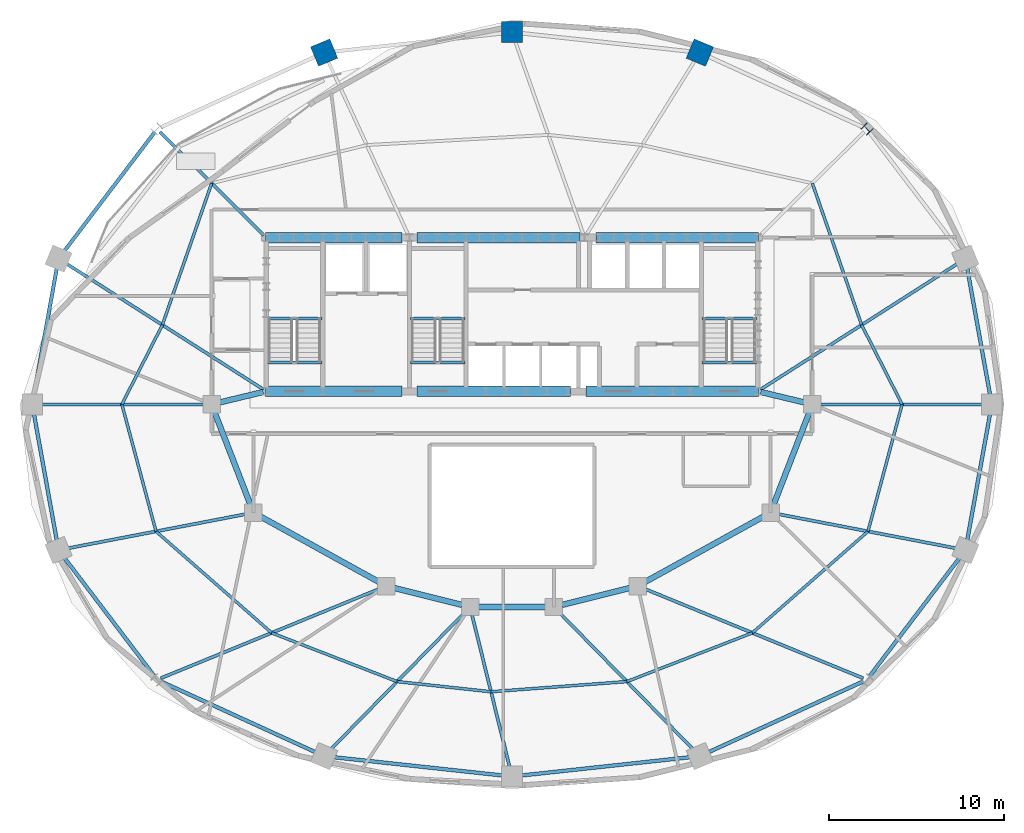
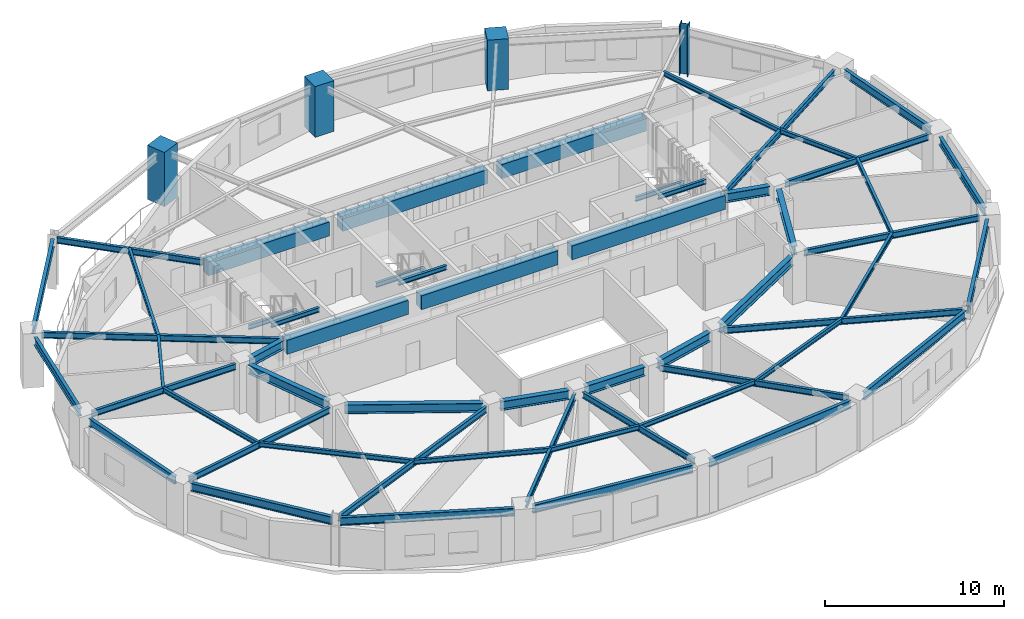
# One storey, part 2 of 10: 56 beams, 4 columns.
"""IFC4 building model written with IfcOpenShell, lengths in metres."""

from ifc_helpers import new_model, si_unit, direction, frame, origin, origin_2d, place, context, subcontext, project, spatial, rectangle, i_section, extrude, material, material_profile, profile_set, type_object, element, save


model = new_model("IFC4")

# Units and contexts
model_context = context("Model", 3, precision=1e-05, world=origin(), true_north=direction((0.0, 1.0)))
body_context = subcontext(model_context, "Body", "Model", "MODEL_VIEW")
ifc_project = project(units=[si_unit("LENGTHUNIT", "METRE"), si_unit("AREAUNIT", "SQUARE_METRE"), si_unit("VOLUMEUNIT", "CUBIC_METRE"), si_unit("PLANEANGLEUNIT", "RADIAN"), si_unit("MASSUNIT", "GRAM", prefix="KILO")], contexts=[model_context])

# Site, building, storey
site_placement = place(None, origin())
site = spatial("IfcSite", under=ifc_project, at=site_placement, CompositionType="ELEMENT")
building_placement = place(site_placement, origin())
building = spatial("IfcBuilding", under=site, at=building_placement, Name="Haldorwick Loom Tower", CompositionType="ELEMENT")
storey_placement = place(building_placement, frame((0.0, 0.0, 185.5)))
storey = spatial("IfcBuildingStorey", under=building, at=storey_placement, Name="L50", CompositionType="ELEMENT", Elevation=185.5)

# Columns
ifc_material_1 = material(Name="Concrete C60 (60 MPa)", Category="concrete")
ifc_material_profile_1 = material_profile(ifc_material_1, rectangle(XDim=1.199951171875, YDim=1.199951171875, at=origin_2d()), Name="RC1200X1200", Category="concrete")
ifc_profile_set_1 = profile_set([ifc_material_profile_1], Name="Concrete C60 (60 MPa)")
column_type_1 = type_object("IfcColumnType", Name="STR-COL-RC1200", PredefinedType="COLUMN", material=ifc_profile_set_1)
for number, where, z_axis, x_axis, name in (
    (1, (46.75341796875, 46.140625, 0.0), (0.0, 0.0, 1.0), (0.382683432365, 0.923879532511, 0.0), "L50 Perimeter Pier Column P04"),
    (2, (36.0, 47.304931640625, 0.0), (0.0, 0.0, 1.0), (0.0, 1.0, 0.0), "L50 Perimeter Pier Column P05"),
):
    element("IfcColumn", number, at=place(storey_placement, frame(where, z_axis=z_axis, x_axis=x_axis)), inside=storey, type_object=column_type_1, Name=name, PredefinedType="COLUMN", context=body_context, shape_type="SweptSolid", body=[
        extrude(rectangle(XDim=1.199951171875, YDim=1.199951171875, at=origin_2d()), origin(), (0.0, 0.0, 1.0), 3.449951171875),
    ])
column_1_placement = place(storey_placement, frame((25.24658203125, 46.140625, -0.239990234375), z_axis=(0.0, 0.0, 1.0), x_axis=(-0.382683432365, 0.923879532511, 0.0)))
element("IfcColumn", 3, at=column_1_placement, inside=storey, type_object=column_type_1, Name="L50 Perimeter Pier Column P06", PredefinedType="COLUMN", context=body_context, shape_type="SweptSolid", body=[
    extrude(rectangle(XDim=1.199951171875, YDim=1.199951171875, at=origin_2d()), origin(), (0.0, 0.0, 1.0), 3.68994140625),
])
ifc_material_2 = material(Name="Steel CSA G40.21 350WT", Category="steel")
ifc_material_profile_2 = material_profile(ifc_material_2, i_section(OverallWidth=0.5, OverallDepth=0.5, WebThickness=0.02197265625, FlangeThickness=0.031982421875, at=origin_2d()), Name="WWF500X500", Category="steel")
ifc_profile_set_2 = profile_set([ifc_material_profile_2], Name="Steel CSA G40.21 350WT")
column_type_2 = type_object("IfcColumnType", Name="STR-COL-WWF500", PredefinedType="COLUMN", material=ifc_profile_set_2)
column_2_placement = place(storey_placement, frame((56.317626953125, 41.764892578125, 0.0), z_axis=(0.0, 0.0, 1.0), x_axis=(0.707106781187, 0.707106781187, 0.0)))
element("IfcColumn", 4, at=column_2_placement, inside=storey, type_object=column_type_2, Name="L50 Perimeter Pier Column P03", PredefinedType="COLUMN", context=body_context, shape_type="SweptSolid", body=[
    extrude(i_section(OverallWidth=0.5, OverallDepth=0.5, WebThickness=0.02197265625, FlangeThickness=0.031982421875, at=origin_2d()), origin(), (0.0, 0.0, 1.0), 3.449951171875),
])

# Beams
ifc_material_3 = material(Name="Concrete C50 (50 MPa)", Category="concrete")
ifc_material_profile_3 = material_profile(ifc_material_3, rectangle(XDim=0.60009765625, YDim=0.949951171875, at=origin_2d()), Name="RC600X950", Category="concrete")
ifc_profile_set_3 = profile_set([ifc_material_profile_3], Name="Concrete C50 (50 MPa)")
beam_type_1 = type_object("IfcBeamType", Name="STR-BM-CB950", PredefinedType="LINTEL", material=ifc_profile_set_3)
beam_1_placement = place(storey_placement, frame((21.89990234375, 35.550048828125, 2.715087890625), z_axis=(1.0, 0.0, 0.0), x_axis=(0.0, 1.0, 0.0)))
element("IfcBeam", 5, at=beam_1_placement, inside=storey, type_object=beam_type_1, Name="L50 Core Coupling Beam CB-N1", PredefinedType="LINTEL", context=body_context, shape_type="SweptSolid", body=[
    extrude(rectangle(XDim=0.60009765625, YDim=0.949951171875, at=origin_2d()), origin(), (0.0, 0.0, 1.0), 7.800048828125),
])
beam_2_placement = place(storey_placement, frame((30.550048828125, 35.550048828125, 2.715087890625), z_axis=(1.0, 0.0, 0.0), x_axis=(0.0, 1.0, 0.0)))
element("IfcBeam", 6, at=beam_2_placement, inside=storey, type_object=beam_type_1, Name="L50 Core Coupling Beam CB-N2", PredefinedType="LINTEL", context=body_context, shape_type="SweptSolid", body=[
    extrude(rectangle(XDim=0.60009765625, YDim=0.949951171875, at=origin_2d()), origin(), (0.0, 0.0, 1.0), 9.349853515625),
])
beam_3_placement = place(storey_placement, frame((40.800048828125, 35.550048828125, 2.715087890625), z_axis=(1.0, 0.0, 0.0), x_axis=(0.0, 1.0, 0.0)))
element("IfcBeam", 7, at=beam_3_placement, inside=storey, type_object=beam_type_1, Name="L50 Core Coupling Beam CB-N3", PredefinedType="LINTEL", context=body_context, shape_type="SweptSolid", body=[
    extrude(rectangle(XDim=0.60009765625, YDim=0.949951171875, at=origin_2d()), origin(), (0.0, 0.0, 1.0), 9.300048828125),
])
beam_4_placement = place(storey_placement, frame((21.89990234375, 26.75, 2.715087890625), z_axis=(1.0, 0.0, 0.0), x_axis=(0.0, 1.0, 0.0)))
element("IfcBeam", 8, at=beam_4_placement, inside=storey, type_object=beam_type_1, Name="L50 Core Coupling Beam CB-S1", PredefinedType="LINTEL", context=body_context, shape_type="SweptSolid", body=[
    extrude(rectangle(XDim=0.60009765625, YDim=0.949951171875, at=origin_2d()), origin(), (0.0, 0.0, 1.0), 7.800048828125),
])
beam_5_placement = place(storey_placement, frame((30.550048828125, 26.75, 2.715087890625), z_axis=(1.0, 0.0, 0.0), x_axis=(0.0, 1.0, 0.0)))
element("IfcBeam", 9, at=beam_5_placement, inside=storey, type_object=beam_type_1, Name="L50 Core Coupling Beam CB-S2", PredefinedType="LINTEL", context=body_context, shape_type="SweptSolid", body=[
    extrude(rectangle(XDim=0.60009765625, YDim=0.949951171875, at=origin_2d()), origin(), (0.0, 0.0, 1.0), 8.800048828125),
])
beam_6_placement = place(storey_placement, frame((40.25, 26.75, 2.715087890625), z_axis=(1.0, 0.0, 0.0), x_axis=(0.0, 1.0, 0.0)))
element("IfcBeam", 10, at=beam_6_placement, inside=storey, type_object=beam_type_1, Name="L50 Core Coupling Beam CB-S3", PredefinedType="LINTEL", context=body_context, shape_type="SweptSolid", body=[
    extrude(rectangle(XDim=0.60009765625, YDim=0.949951171875, at=origin_2d()), origin(), (0.0, 0.0, 1.0), 9.85009765625),
])
ifc_material_4 = material(Name="Steel CSA G40.21 350W", Category="steel")
ifc_material_profile_4 = material_profile(ifc_material_4, i_section(OverallWidth=0.166015625, OverallDepth=0.31298828125, WebThickness=0.006591796875, FlangeThickness=0.01123046875, at=origin_2d()), Name="W310X45", Category="steel")
ifc_profile_set_4 = profile_set([ifc_material_profile_4], Name="Steel CSA G40.21 350W")
beam_type_2 = type_object("IfcBeamType", Name="STR-BM-J310", PredefinedType="JOIST", material=ifc_profile_set_4)
beam_7_placement = place(storey_placement, frame((58.333251953125, 26.0, 3.033447265625), z_axis=(-0.454203827517, 0.890897796085, 0.0), x_axis=(-0.890897796085, -0.454203827517, 0.0)))
element("IfcBeam", 11, at=beam_7_placement, inside=storey, type_object=beam_type_2, Name="L50 Mid-Bay Secondary Joist 1", PredefinedType="JOIST", context=body_context, shape_type="SweptSolid", body=[
    extrude(i_section(OverallWidth=0.166015625, OverallDepth=0.31298828125, WebThickness=0.006591796875, FlangeThickness=0.01123046875, at=origin_2d()), origin(), (0.0, 0.0, 1.0), 5.103271484375),
])
for number, where, z_axis, x_axis, name in (
    (12, (56.015380859375, 30.54638671875, 3.033447265625), (-0.328550395803, 0.944486441098, 0.0), (-0.944486441098, -0.328550395803, 0.0), "L50 Mid-Bay Secondary Joist 2"),
    (13, (18.80615234375, 38.657470703125, 3.033447265625), (-0.328550395803, -0.944486441098, 0.0), (0.944486441098, -0.328550395803, 0.0), "L50 Mid-Bay Secondary Joist 7"),
):
    element("IfcBeam", number, at=place(storey_placement, frame(where, z_axis=z_axis, x_axis=x_axis)), inside=storey, type_object=beam_type_2, Name=name, PredefinedType="JOIST", context=body_context, shape_type="SweptSolid", body=[
        extrude(i_section(OverallWidth=0.166015625, OverallDepth=0.31298828125, WebThickness=0.006591796875, FlangeThickness=0.01123046875, at=origin_2d()), origin(), (0.0, 0.0, 1.0), 8.587890625),
    ])
beam_8_placement = place(storey_placement, frame((15.984619140625, 30.54638671875, 3.033447265625), z_axis=(-0.454203827517, -0.890897796085, 0.0), x_axis=(0.890897796085, -0.454203827517, 0.0)))
element("IfcBeam", 14, at=beam_8_placement, inside=storey, type_object=beam_type_2, Name="L50 Mid-Bay Secondary Joist 8", PredefinedType="JOIST", context=body_context, shape_type="SweptSolid", body=[
    extrude(i_section(OverallWidth=0.166015625, OverallDepth=0.31298828125, WebThickness=0.006591796875, FlangeThickness=0.01123046875, at=origin_2d()), origin(), (0.0, 0.0, 1.0), 5.103271484375),
])
beam_9_placement = place(storey_placement, frame((13.666748046875, 26.0, 3.033447265625), z_axis=(0.259353588718, -0.965782437208, 0.0), x_axis=(0.965782437208, 0.259353588718, 0.0)))
element("IfcBeam", 15, at=beam_9_placement, inside=storey, type_object=beam_type_2, Name="L50 Mid-Bay Secondary Joist 9", PredefinedType="JOIST", context=body_context, shape_type="SweptSolid", body=[
    extrude(i_section(OverallWidth=0.166015625, OverallDepth=0.31298828125, WebThickness=0.006591796875, FlangeThickness=0.01123046875, at=origin_2d()), origin(), (0.0, 0.0, 1.0), 7.52880859375),
])
beam_10_placement = place(storey_placement, frame((15.619384765625, 18.728759765625, 3.033447265625), z_axis=(0.751609427289, -0.659608420815, 0.0), x_axis=(0.659608420815, 0.751609427289, 0.0)))
element("IfcBeam", 16, at=beam_10_placement, inside=storey, type_object=beam_type_2, Name="L50 Mid-Bay Secondary Joist 10", PredefinedType="JOIST", context=body_context, shape_type="SweptSolid", body=[
    extrude(i_section(OverallWidth=0.166015625, OverallDepth=0.31298828125, WebThickness=0.006591796875, FlangeThickness=0.01123046875, at=origin_2d()), origin(), (0.0, 0.0, 1.0), 8.810302734375),
])
beam_11_placement = place(storey_placement, frame((22.2412109375, 12.91748046875, 3.033447265625), z_axis=(0.932232852675, -0.36185896202, 0.0), x_axis=(0.36185896202, 0.932232852675, 0.0)))
element("IfcBeam", 17, at=beam_11_placement, inside=storey, type_object=beam_type_2, Name="L50 Mid-Bay Secondary Joist 11", PredefinedType="JOIST", context=body_context, shape_type="SweptSolid", body=[
    extrude(i_section(OverallWidth=0.166015625, OverallDepth=0.31298828125, WebThickness=0.006591796875, FlangeThickness=0.01123046875, at=origin_2d()), origin(), (0.0, 0.0, 1.0), 7.7041015625),
])
beam_12_placement = place(storey_placement, frame((29.42333984375, 10.129638671875, 3.033447265625), z_axis=(0.994191913888, -0.107621737398, 0.0), x_axis=(0.107621737398, 0.994191913888, 0.0)))
element("IfcBeam", 18, at=beam_12_placement, inside=storey, type_object=beam_type_2, Name="L50 Mid-Bay Secondary Joist 12", PredefinedType="JOIST", context=body_context, shape_type="SweptSolid", body=[
    extrude(i_section(OverallWidth=0.166015625, OverallDepth=0.31298828125, WebThickness=0.006591796875, FlangeThickness=0.01123046875, at=origin_2d()), origin(), (0.0, 0.0, 1.0), 5.408203125),
])
beam_13_placement = place(storey_placement, frame((34.800048828125, 9.547607421875, 3.033447265625), z_axis=(0.997210913817, 0.074635067923, 0.0), x_axis=(-0.074635067923, 0.997210913817, 0.0)))
element("IfcBeam", 19, at=beam_13_placement, inside=storey, type_object=beam_type_2, Name="L50 Mid-Bay Secondary Joist 13", PredefinedType="JOIST", context=body_context, shape_type="SweptSolid", body=[
    extrude(i_section(OverallWidth=0.166015625, OverallDepth=0.31298828125, WebThickness=0.006591796875, FlangeThickness=0.01123046875, at=origin_2d()), origin(), (0.0, 0.0, 1.0), 7.79833984375),
])
beam_14_placement = place(storey_placement, frame((42.57666015625, 10.129638671875, 3.033447265625), z_axis=(0.932232852675, 0.36185896202, 0.0), x_axis=(-0.36185896202, 0.932232852675, 0.0)))
element("IfcBeam", 20, at=beam_14_placement, inside=storey, type_object=beam_type_2, Name="L50 Mid-Bay Secondary Joist 14", PredefinedType="JOIST", context=body_context, shape_type="SweptSolid", body=[
    extrude(i_section(OverallWidth=0.166015625, OverallDepth=0.31298828125, WebThickness=0.006591796875, FlangeThickness=0.01123046875, at=origin_2d()), origin(), (0.0, 0.0, 1.0), 7.7041015625),
])
beam_15_placement = place(storey_placement, frame((49.7587890625, 12.91748046875, 3.033447265625), z_axis=(0.751609427289, 0.659608420815, 0.0), x_axis=(-0.659608420815, 0.751609427289, 0.0)))
element("IfcBeam", 21, at=beam_15_placement, inside=storey, type_object=beam_type_2, Name="L50 Mid-Bay Secondary Joist 15", PredefinedType="JOIST", context=body_context, shape_type="SweptSolid", body=[
    extrude(i_section(OverallWidth=0.166015625, OverallDepth=0.31298828125, WebThickness=0.006591796875, FlangeThickness=0.01123046875, at=origin_2d()), origin(), (0.0, 0.0, 1.0), 8.810302734375),
])
beam_16_placement = place(storey_placement, frame((56.380615234375, 18.728759765625, 3.033447265625), z_axis=(0.259353588718, 0.965782437208, 0.0), x_axis=(-0.965782437208, 0.259353588718, 0.0)))
element("IfcBeam", 22, at=beam_16_placement, inside=storey, type_object=beam_type_2, Name="L50 Mid-Bay Secondary Joist 16", PredefinedType="JOIST", context=body_context, shape_type="SweptSolid", body=[
    extrude(i_section(OverallWidth=0.166015625, OverallDepth=0.31298828125, WebThickness=0.006591796875, FlangeThickness=0.01123046875, at=origin_2d()), origin(), (0.0, 0.0, 1.0), 7.52880859375),
])
ifc_material_profile_5 = material_profile(ifc_material_4, i_section(OverallWidth=0.179931640625, OverallDepth=0.4130859375, WebThickness=0.009765625, FlangeThickness=0.01611328125, at=origin_2d()), Name="W410X74", Category="steel")
ifc_profile_set_5 = profile_set([ifc_material_profile_5], Name="Steel CSA G40.21 350W")
beam_type_3 = type_object("IfcBeamType", Name="STR-BM-J410", PredefinedType="JOIST", material=ifc_profile_set_5)
beam_17_placement = place(storey_placement, frame((53.675048828125, 26.0, 2.9833984375), z_axis=(1.0, 0.0, 0.0), x_axis=(0.0, 1.0, 0.0)))
element("IfcBeam", 23, at=beam_17_placement, inside=storey, type_object=beam_type_3, Name="L50 Radial Floor Girder 1", PredefinedType="JOIST", context=body_context, shape_type="SweptSolid", body=[
    extrude(i_section(OverallWidth=0.179931640625, OverallDepth=0.4130859375, WebThickness=0.009765625, FlangeThickness=0.01611328125, at=origin_2d()), origin(), (0.0, 0.0, 1.0), 9.271240234375),
])
beam_18_placement = place(storey_placement, frame((50.219970703125, 26.845703125, 2.9833984375), z_axis=(0.842836647066, 0.538169477361, 0.0), x_axis=(-0.538169477361, 0.842836647066, 0.0)))
element("IfcBeam", 24, at=beam_18_placement, inside=storey, type_object=beam_type_3, Name="L50 Radial Floor Girder 2", PredefinedType="JOIST", context=body_context, shape_type="SweptSolid", body=[
    extrude(i_section(OverallWidth=0.179931640625, OverallDepth=0.4130859375, WebThickness=0.009765625, FlangeThickness=0.01611328125, at=origin_2d()), origin(), (0.0, 0.0, 1.0), 13.410400390625),
])
beam_19_placement = place(storey_placement, frame((21.8037109375, 35.675537109375, 2.9833984375), z_axis=(-0.708962390492, 0.70524628951, 0.0), x_axis=(-0.70524628951, -0.708962390492, 0.0)))
element("IfcBeam", 25, at=beam_19_placement, inside=storey, type_object=beam_type_3, Name="L50 Radial Floor Girder 7", PredefinedType="JOIST", context=body_context, shape_type="SweptSolid", body=[
    extrude(i_section(OverallWidth=0.179931640625, OverallDepth=0.4130859375, WebThickness=0.009765625, FlangeThickness=0.01611328125, at=origin_2d()), origin(), (0.0, 0.0, 1.0), 8.409423828125),
])
beam_20_placement = place(storey_placement, frame((21.780029296875, 26.845703125, 2.9833984375), z_axis=(-0.842836647066, 0.538169477361, 0.0), x_axis=(-0.538169477361, -0.842836647066, 0.0)))
element("IfcBeam", 26, at=beam_20_placement, inside=storey, type_object=beam_type_3, Name="L50 Radial Floor Girder 8", PredefinedType="JOIST", context=body_context, shape_type="SweptSolid", body=[
    extrude(i_section(OverallWidth=0.179931640625, OverallDepth=0.4130859375, WebThickness=0.009765625, FlangeThickness=0.01611328125, at=origin_2d()), origin(), (0.0, 0.0, 1.0), 13.410400390625),
])
beam_21_placement = place(storey_placement, frame((18.324951171875, 26.0, 2.9833984375), z_axis=(-1.0, 0.0, 0.0), x_axis=(0.0, -1.0, 0.0)))
element("IfcBeam", 27, at=beam_21_placement, inside=storey, type_object=beam_type_3, Name="L50 Radial Floor Girder 9", PredefinedType="JOIST", context=body_context, shape_type="SweptSolid", body=[
    extrude(i_section(OverallWidth=0.179931640625, OverallDepth=0.4130859375, WebThickness=0.009765625, FlangeThickness=0.01611328125, at=origin_2d()), origin(), (0.0, 0.0, 1.0), 9.271240234375),
])
beam_22_placement = place(storey_placement, frame((20.7333984375, 19.71044921875, 2.9833984375), z_axis=(-0.982069869785, -0.188517295919, 0.0), x_axis=(0.188517295919, -0.982069869785, 0.0)))
element("IfcBeam", 28, at=beam_22_placement, inside=storey, type_object=beam_type_3, Name="L50 Radial Floor Girder 10", PredefinedType="JOIST", context=body_context, shape_type="SweptSolid", body=[
    extrude(i_section(OverallWidth=0.179931640625, OverallDepth=0.4130859375, WebThickness=0.009765625, FlangeThickness=0.01611328125, at=origin_2d()), origin(), (0.0, 0.0, 1.0), 10.36962890625),
])
beam_23_placement = place(storey_placement, frame((28.3603515625, 15.420166015625, 2.9833984375), z_axis=(-0.925583323606, -0.378543935445, 0.0), x_axis=(0.378543935445, -0.925583323606, 0.0)))
element("IfcBeam", 29, at=beam_23_placement, inside=storey, type_object=beam_type_3, Name="L50 Radial Floor Girder 11", PredefinedType="JOIST", context=body_context, shape_type="SweptSolid", body=[
    extrude(i_section(OverallWidth=0.179931640625, OverallDepth=0.4130859375, WebThickness=0.009765625, FlangeThickness=0.01611328125, at=origin_2d()), origin(), (0.0, 0.0, 1.0), 13.47216796875),
])
beam_24_placement = place(storey_placement, frame((33.267822265625, 14.060302734375, 2.9833984375), z_axis=(-0.699238682239, -0.714888288658, 0.0), x_axis=(0.714888288658, -0.699238682239, 0.0)))
element("IfcBeam", 30, at=beam_24_placement, inside=storey, type_object=beam_type_3, Name="L50 Radial Floor Girder 12", PredefinedType="JOIST", context=body_context, shape_type="SweptSolid", body=[
    extrude(i_section(OverallWidth=0.179931640625, OverallDepth=0.4130859375, WebThickness=0.009765625, FlangeThickness=0.01611328125, at=origin_2d()), origin(), (0.0, 0.0, 1.0), 10.951416015625),
])
beam_25_placement = place(storey_placement, frame((33.714111328125, 13.93896484375, 2.9833984375), z_axis=(0.240059013303, -0.970758296453, 0.0), x_axis=(0.970758296453, 0.240059013303, 0.0)))
element("IfcBeam", 31, at=beam_25_placement, inside=storey, type_object=beam_type_3, Name="L50 Radial Floor Girder 13", PredefinedType="JOIST", context=body_context, shape_type="SweptSolid", body=[
    extrude(i_section(OverallWidth=0.179931640625, OverallDepth=0.4130859375, WebThickness=0.009765625, FlangeThickness=0.01611328125, at=origin_2d()), origin(), (0.0, 0.0, 1.0), 9.00244140625),
])
beam_26_placement = place(storey_placement, frame((38.732177734375, 14.060302734375, 2.9833984375), z_axis=(0.699238682239, -0.714888288658, 0.0), x_axis=(0.714888288658, 0.699238682239, 0.0)))
element("IfcBeam", 32, at=beam_26_placement, inside=storey, type_object=beam_type_3, Name="L50 Radial Floor Girder 14", PredefinedType="JOIST", context=body_context, shape_type="SweptSolid", body=[
    extrude(i_section(OverallWidth=0.179931640625, OverallDepth=0.4130859375, WebThickness=0.009765625, FlangeThickness=0.01611328125, at=origin_2d()), origin(), (0.0, 0.0, 1.0), 10.951416015625),
])
beam_27_placement = place(storey_placement, frame((43.6396484375, 15.420166015625, 2.9833984375), z_axis=(0.925583323606, -0.378543935445, 0.0), x_axis=(0.378543935445, 0.925583323606, 0.0)))
element("IfcBeam", 33, at=beam_27_placement, inside=storey, type_object=beam_type_3, Name="L50 Radial Floor Girder 15", PredefinedType="JOIST", context=body_context, shape_type="SweptSolid", body=[
    extrude(i_section(OverallWidth=0.179931640625, OverallDepth=0.4130859375, WebThickness=0.009765625, FlangeThickness=0.01611328125, at=origin_2d()), origin(), (0.0, 0.0, 1.0), 13.47216796875),
])
beam_28_placement = place(storey_placement, frame((51.2666015625, 19.71044921875, 2.9833984375), z_axis=(0.982069869785, -0.188517295919, 0.0), x_axis=(0.188517295919, 0.982069869785, 0.0)))
element("IfcBeam", 34, at=beam_28_placement, inside=storey, type_object=beam_type_3, Name="L50 Radial Floor Girder 16", PredefinedType="JOIST", context=body_context, shape_type="SweptSolid", body=[
    extrude(i_section(OverallWidth=0.179931640625, OverallDepth=0.4130859375, WebThickness=0.009765625, FlangeThickness=0.01611328125, at=origin_2d()), origin(), (0.0, 0.0, 1.0), 10.36962890625),
])
ifc_material_profile_6 = material_profile(ifc_material_4, i_section(OverallWidth=0.2119140625, OverallDepth=0.5439453125, WebThickness=0.01318359375, FlangeThickness=0.021240234375, at=origin_2d()), Name="W530X123", Category="steel")
ifc_profile_set_6 = profile_set([ifc_material_profile_6], Name="Steel CSA G40.21 350W")
beam_type_4 = type_object("IfcBeamType", Name="STR-BM-SP530", PredefinedType="SPANDREL", material=ifc_profile_set_6)
beam_29_placement = place(storey_placement, frame((63.3740234375, 26.51171875, 2.91796875), z_axis=(-0.1775911332, 0.984104359003, 0.0), x_axis=(-0.984104359003, -0.1775911332, 0.0)))
element("IfcBeam", 35, at=beam_29_placement, inside=storey, type_object=beam_type_4, Name="L50 Perimeter Spandrel 1", PredefinedType="SPANDREL", context=body_context, shape_type="SweptSolid", body=[
    extrude(i_section(OverallWidth=0.2119140625, OverallDepth=0.5439453125, WebThickness=0.01318359375, FlangeThickness=0.021240234375, at=origin_2d()), origin(), (0.0, 0.0, 1.0), 7.437255859375),
])
beam_30_placement = place(storey_placement, frame((15.546142578125, 41.585693359375, 2.91796875), z_axis=(-0.605236944797, -0.796045376001, 0.0), x_axis=(0.796045376001, -0.605236944797, 0.0)))
element("IfcBeam", 36, at=beam_30_placement, inside=storey, type_object=beam_type_4, Name="L50 Perimeter Spandrel 7", PredefinedType="SPANDREL", context=body_context, shape_type="SweptSolid", body=[
    extrude(i_section(OverallWidth=0.2119140625, OverallDepth=0.5439453125, WebThickness=0.01318359375, FlangeThickness=0.021240234375, at=origin_2d()), origin(), (0.0, 0.0, 1.0), 8.5791015625),
])
for number, where, z_axis, x_axis, name in (
    (37, (9.94677734375, 33.830810546875, 2.91796875), (-0.1775911332, -0.984104359003, 0.0), (0.984104359003, -0.1775911332, 0.0), "L50 Perimeter Spandrel 8"),
    (38, (8.6259765625, 25.48828125, 2.91796875), (0.1775911332, -0.984104359003, 0.0), (0.984104359003, 0.1775911332, 0.0), "L50 Perimeter Spandrel 9"),
):
    element("IfcBeam", number, at=place(storey_placement, frame(where, z_axis=z_axis, x_axis=x_axis)), inside=storey, type_object=beam_type_4, Name=name, PredefinedType="SPANDREL", context=body_context, shape_type="SweptSolid", body=[
        extrude(i_section(OverallWidth=0.2119140625, OverallDepth=0.5439453125, WebThickness=0.01318359375, FlangeThickness=0.021240234375, at=origin_2d()), origin(), (0.0, 0.0, 1.0), 7.437255859375),
    ])
beam_31_placement = place(storey_placement, frame((10.353759765625, 17.24365234375, 2.91796875), z_axis=(0.605236944797, -0.796045376001, 0.0), x_axis=(0.796045376001, 0.605236944797, 0.0)))
element("IfcBeam", 39, at=beam_31_placement, inside=storey, type_object=beam_type_4, Name="L50 Perimeter Spandrel 10", PredefinedType="SPANDREL", context=body_context, shape_type="SweptSolid", body=[
    extrude(i_section(OverallWidth=0.2119140625, OverallDepth=0.5439453125, WebThickness=0.01318359375, FlangeThickness=0.021240234375, at=origin_2d()), origin(), (0.0, 0.0, 1.0), 8.5791015625),
])
beam_32_placement = place(storey_placement, frame((15.886962890625, 10.1416015625, 2.91796875), z_axis=(0.909342182232, -0.416049030299, 0.0), x_axis=(0.416049030299, 0.909342182232, 0.0)))
element("IfcBeam", 40, at=beam_32_placement, inside=storey, type_object=beam_type_4, Name="L50 Perimeter Spandrel 11", PredefinedType="SPANDREL", context=body_context, shape_type="SweptSolid", body=[
    extrude(i_section(OverallWidth=0.2119140625, OverallDepth=0.5439453125, WebThickness=0.01318359375, FlangeThickness=0.021240234375, at=origin_2d()), origin(), (0.0, 0.0, 1.0), 9.772705078125),
])
for number, where, z_axis, x_axis, name in (
    (41, (25.763671875, 5.803466796875, 2.91796875), (0.994187774205, -0.107659972233, 0.0), (0.107659972233, 0.994187774205, 0.0), "L50 Perimeter Spandrel 12"),
    (42, (36.51708984375, 4.7509765625, 2.91796875), (0.994187774205, 0.107659972233, 0.0), (-0.107659972233, 0.994187774205, 0.0), "L50 Perimeter Spandrel 13"),
):
    element("IfcBeam", number, at=place(storey_placement, frame(where, z_axis=z_axis, x_axis=x_axis)), inside=storey, type_object=beam_type_4, Name=name, PredefinedType="SPANDREL", context=body_context, shape_type="SweptSolid", body=[
        extrude(i_section(OverallWidth=0.2119140625, OverallDepth=0.5439453125, WebThickness=0.01318359375, FlangeThickness=0.021240234375, at=origin_2d()), origin(), (0.0, 0.0, 1.0), 9.776123046875),
    ])
beam_33_placement = place(storey_placement, frame((47.226318359375, 6.07568359375, 2.91796875), z_axis=(0.909342182232, 0.416049030299, 0.0), x_axis=(-0.416049030299, 0.909342182232, 0.0)))
element("IfcBeam", 43, at=beam_33_placement, inside=storey, type_object=beam_type_4, Name="L50 Perimeter Spandrel 14", PredefinedType="SPANDREL", context=body_context, shape_type="SweptSolid", body=[
    extrude(i_section(OverallWidth=0.2119140625, OverallDepth=0.5439453125, WebThickness=0.01318359375, FlangeThickness=0.021240234375, at=origin_2d()), origin(), (0.0, 0.0, 1.0), 9.772705078125),
])
beam_34_placement = place(storey_placement, frame((56.453857421875, 10.414306640625, 2.91796875), z_axis=(0.605236944797, 0.796045376001, 0.0), x_axis=(-0.796045376001, 0.605236944797, 0.0)))
element("IfcBeam", 44, at=beam_34_placement, inside=storey, type_object=beam_type_4, Name="L50 Perimeter Spandrel 15", PredefinedType="SPANDREL", context=body_context, shape_type="SweptSolid", body=[
    extrude(i_section(OverallWidth=0.2119140625, OverallDepth=0.5439453125, WebThickness=0.01318359375, FlangeThickness=0.021240234375, at=origin_2d()), origin(), (0.0, 0.0, 1.0), 8.5791015625),
])
beam_35_placement = place(storey_placement, frame((62.05322265625, 18.169189453125, 2.91796875), z_axis=(0.1775911332, 0.984104359003, 0.0), x_axis=(-0.984104359003, 0.1775911332, 0.0)))
element("IfcBeam", 45, at=beam_35_placement, inside=storey, type_object=beam_type_4, Name="L50 Perimeter Spandrel 16", PredefinedType="SPANDREL", context=body_context, shape_type="SweptSolid", body=[
    extrude(i_section(OverallWidth=0.2119140625, OverallDepth=0.5439453125, WebThickness=0.01318359375, FlangeThickness=0.021240234375, at=origin_2d()), origin(), (0.0, 0.0, 1.0), 7.437255859375),
])
ifc_material_profile_7 = material_profile(ifc_material_4, i_section(OverallWidth=0.166015625, OverallDepth=0.31298828125, WebThickness=0.006591796875, FlangeThickness=0.01123046875, at=origin_2d()), Name="W310X45", Category="steel")
ifc_profile_set_7 = profile_set([ifc_material_profile_7], Name="Steel CSA G40.21 350W")
beam_type_5 = type_object("IfcBeamType", Name="STR-BM-STRM", PredefinedType="BEAM", material=ifc_profile_set_7)
for number, where, z_axis, x_axis, name in (
    (46, (21.989990234375, 28.39990234375, 3.033447265625), (1.0, 0.0, 0.0), (0.0, 1.0, 0.0), "L50 Stair ST-01 Landing Edge Trimmer"),
    (47, (21.989990234375, 30.919921875, 1.368408203125), (1.0, 0.0, 0.0), (0.0, 1.0, 0.0), "L50 Stair ST-01 Half-Landing Trimmer 1"),
    (48, (46.889892578125, 28.39990234375, 3.033447265625), (1.0, 0.0, 0.0), (0.0, 1.0, 0.0), "L50 Stair ST-02 Landing Edge Trimmer"),
    (49, (46.889892578125, 30.919921875, 1.368408203125), (1.0, 0.0, 0.0), (0.0, 1.0, 0.0), "L50 Stair ST-02 Half-Landing Trimmer 1"),
    (50, (30.18994140625, 28.39990234375, 3.033447265625), (1.0, 0.0, 0.0), (0.0, 1.0, 0.0), "L50 Stair ST-03 Landing Edge Trimmer"),
    (51, (30.18994140625, 30.919921875, 1.368408203125), (1.0, 0.0, 0.0), (0.0, 1.0, 0.0), "L50 Stair ST-03 Half-Landing Trimmer 1"),
):
    element("IfcBeam", number, at=place(storey_placement, frame(where, z_axis=z_axis, x_axis=x_axis)), inside=storey, type_object=beam_type_5, Name=name, PredefinedType="BEAM", context=body_context, shape_type="SweptSolid", body=[
        extrude(i_section(OverallWidth=0.166015625, OverallDepth=0.31298828125, WebThickness=0.006591796875, FlangeThickness=0.01123046875, at=origin_2d()), origin(), (0.0, 0.0, 1.0), 3.1201171875),
    ])
ifc_material_profile_8 = material_profile(ifc_material_4, i_section(OverallWidth=0.324951171875, OverallDepth=0.615966796875, WebThickness=0.013916015625, FlangeThickness=0.021484375, at=origin_2d()), Name="W610X174", Category="steel")
ifc_profile_set_8 = profile_set([ifc_material_profile_8], Name="Steel CSA G40.21 350W")
beam_type_6 = type_object("IfcBeamType", Name="STR-BM-W610A", PredefinedType="BEAM", material=ifc_profile_set_8)
beam_36_placement = place(storey_placement, frame((50.2431640625, 26.70849609375, 2.882080078125), z_axis=(0.972464127734, -0.233052612665, 0.0), x_axis=(0.233052612665, 0.972464127734, 0.0)))
element("IfcBeam", 52, at=beam_36_placement, inside=storey, type_object=beam_type_6, Name="L50 Inner Ring Girder 1", PredefinedType="BEAM", context=body_context, shape_type="SweptSolid", body=[
    extrude(i_section(OverallWidth=0.324951171875, OverallDepth=0.615966796875, WebThickness=0.013916015625, FlangeThickness=0.021484375, at=origin_2d()), origin(), (0.0, 0.0, 1.0), 2.5654296875),
])
beam_37_placement = place(storey_placement, frame((53.028564453125, 25.556884765625, 2.882080078125), z_axis=(-0.36101093026, -0.93256158415, 0.0), x_axis=(0.93256158415, -0.36101093026, 0.0)))
element("IfcBeam", 53, at=beam_37_placement, inside=storey, type_object=beam_type_6, Name="L50 Inner Ring Girder 2", PredefinedType="BEAM", context=body_context, shape_type="SweptSolid", body=[
    extrude(i_section(OverallWidth=0.324951171875, OverallDepth=0.615966796875, WebThickness=0.013916015625, FlangeThickness=0.021484375, at=origin_2d()), origin(), (0.0, 0.0, 1.0), 5.6982421875),
])
beam_38_placement = place(storey_placement, frame((50.38427734375, 19.5703125, 2.882080078125), z_axis=(-0.875243645673, -0.483682293152, 0.0), x_axis=(0.483682293152, -0.875243645673, 0.0)))
element("IfcBeam", 54, at=beam_38_placement, inside=storey, type_object=beam_type_6, Name="L50 Inner Ring Girder 3", PredefinedType="BEAM", context=body_context, shape_type="SweptSolid", body=[
    extrude(i_section(OverallWidth=0.324951171875, OverallDepth=0.615966796875, WebThickness=0.013916015625, FlangeThickness=0.021484375, at=origin_2d()), origin(), (0.0, 0.0, 1.0), 7.7333984375),
])
beam_39_placement = place(storey_placement, frame((42.7392578125, 15.48486328125, 2.882080078125), z_axis=(-0.970135315182, -0.242564363081, 0.0), x_axis=(0.242564363081, -0.970135315182, 0.0)))
element("IfcBeam", 55, at=beam_39_placement, inside=storey, type_object=beam_type_6, Name="L50 Inner Ring Girder 4", PredefinedType="BEAM", context=body_context, shape_type="SweptSolid", body=[
    extrude(i_section(OverallWidth=0.324951171875, OverallDepth=0.615966796875, WebThickness=0.013916015625, FlangeThickness=0.021484375, at=origin_2d()), origin(), (0.0, 0.0, 1.0), 3.997802734375),
])
beam_40_placement = place(storey_placement, frame((37.925048828125, 14.39990234375, 2.882080078125), z_axis=(-1.0, 0.0, 0.0), x_axis=(0.0, -1.0, 0.0)))
element("IfcBeam", 56, at=beam_40_placement, inside=storey, type_object=beam_type_6, Name="L50 Inner Ring Girder 5", PredefinedType="BEAM", context=body_context, shape_type="SweptSolid", body=[
    extrude(i_section(OverallWidth=0.324951171875, OverallDepth=0.615966796875, WebThickness=0.013916015625, FlangeThickness=0.021484375, at=origin_2d()), origin(), (0.0, 0.0, 1.0), 3.85009765625),
])
beam_41_placement = place(storey_placement, frame((33.13916015625, 14.51513671875, 2.882080078125), z_axis=(-0.970135315182, 0.242564363081, 0.0), x_axis=(-0.242564363081, -0.970135315182, 0.0)))
element("IfcBeam", 57, at=beam_41_placement, inside=storey, type_object=beam_type_6, Name="L50 Inner Ring Girder 6", PredefinedType="BEAM", context=body_context, shape_type="SweptSolid", body=[
    extrude(i_section(OverallWidth=0.324951171875, OverallDepth=0.615966796875, WebThickness=0.013916015625, FlangeThickness=0.021484375, at=origin_2d()), origin(), (0.0, 0.0, 1.0), 3.997802734375),
])
beam_42_placement = place(storey_placement, frame((28.38427734375, 15.829833984375, 2.882080078125), z_axis=(-0.875243645673, 0.483682293152, 0.0), x_axis=(-0.483682293152, -0.875243645673, 0.0)))
element("IfcBeam", 58, at=beam_42_placement, inside=storey, type_object=beam_type_6, Name="L50 Inner Ring Girder 7", PredefinedType="BEAM", context=body_context, shape_type="SweptSolid", body=[
    extrude(i_section(OverallWidth=0.324951171875, OverallDepth=0.615966796875, WebThickness=0.013916015625, FlangeThickness=0.021484375, at=origin_2d()), origin(), (0.0, 0.0, 1.0), 7.7333984375),
])
beam_43_placement = place(storey_placement, frame((21.028564453125, 20.242919921875, 2.882080078125), z_axis=(-0.36101093026, 0.93256158415, 0.0), x_axis=(-0.93256158415, -0.36101093026, 0.0)))
element("IfcBeam", 59, at=beam_43_placement, inside=storey, type_object=beam_type_6, Name="L50 Inner Ring Girder 8", PredefinedType="BEAM", context=body_context, shape_type="SweptSolid", body=[
    extrude(i_section(OverallWidth=0.324951171875, OverallDepth=0.615966796875, WebThickness=0.013916015625, FlangeThickness=0.021484375, at=origin_2d()), origin(), (0.0, 0.0, 1.0), 5.6982421875),
])
beam_44_placement = place(storey_placement, frame((19.261962890625, 26.110595703125, 2.882080078125), z_axis=(0.972464127734, 0.233052612665, 0.0), x_axis=(-0.233052612665, 0.972464127734, 0.0)))
element("IfcBeam", 60, at=beam_44_placement, inside=storey, type_object=beam_type_6, Name="L50 Inner Ring Girder 9", PredefinedType="BEAM", context=body_context, shape_type="SweptSolid", body=[
    extrude(i_section(OverallWidth=0.324951171875, OverallDepth=0.615966796875, WebThickness=0.013916015625, FlangeThickness=0.021484375, at=origin_2d()), origin(), (0.0, 0.0, 1.0), 2.5654296875),
])

save(model, "model.ifc")
